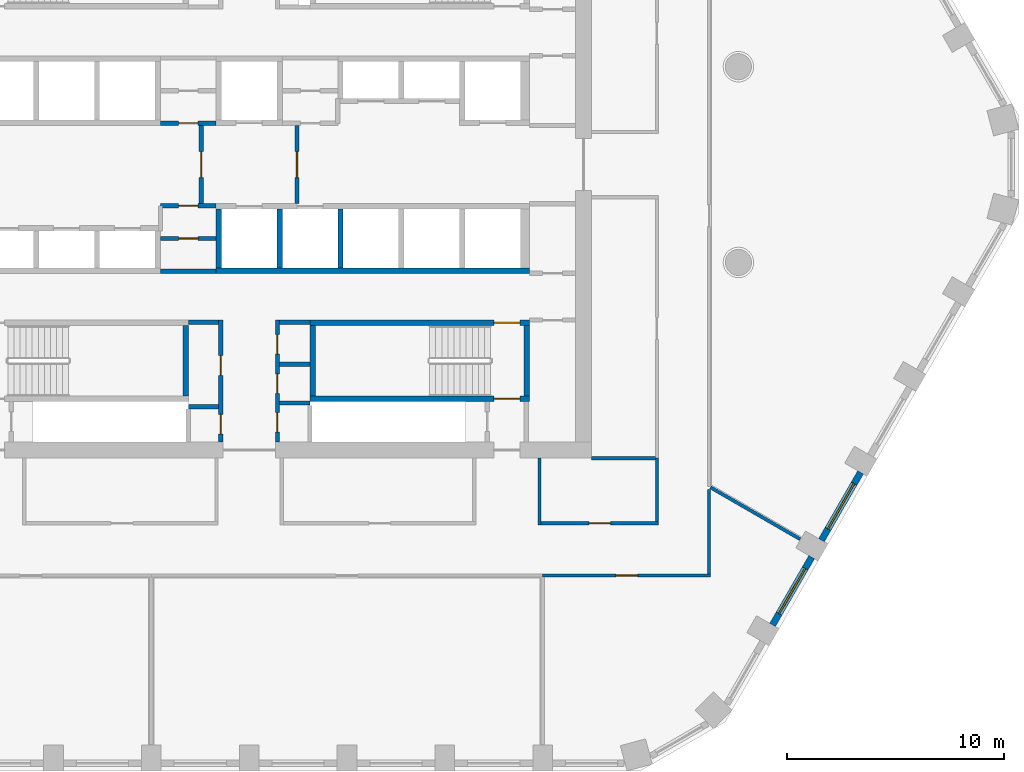
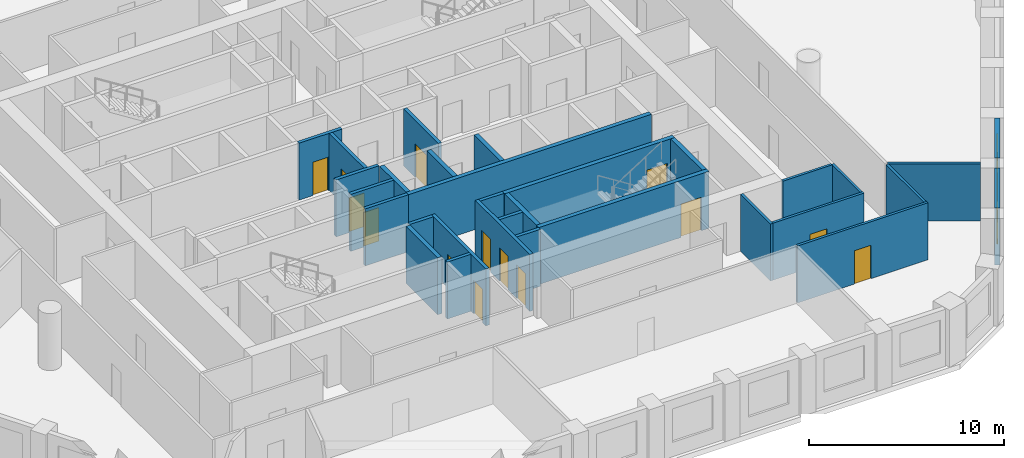
# One storey, part 4 of 14: 31 walls, 14 doors, 2 windows, 16 openings.
"""IFC4 building model written with IfcOpenShell, lengths in metres."""

from ifc_helpers import new_model, si_unit, direction, frame, frame_2d, origin, place, context, subcontext, project, spatial, polyline, rectangle, outline, extrude, material, layer, layer_set, type_object, element, fill, save


model = new_model("IFC4")

# Units and contexts
model_context = context("Model", 3, precision=1e-05, world=origin(), true_north=direction((0.0, 1.0)))
body_context = subcontext(model_context, "Body", "Model", "MODEL_VIEW")
ifc_project = project(units=[si_unit("LENGTHUNIT", "METRE"), si_unit("AREAUNIT", "SQUARE_METRE"), si_unit("VOLUMEUNIT", "CUBIC_METRE"), si_unit("PLANEANGLEUNIT", "RADIAN"), si_unit("MASSUNIT", "GRAM", prefix="KILO")], contexts=[model_context])

# Site, building, storey
site_placement = place(None, origin())
site = spatial("IfcSite", under=ifc_project, at=site_placement, CompositionType="ELEMENT")
building_placement = place(site_placement, origin())
building = spatial("IfcBuilding", under=site, at=building_placement, Name="Dhurran Vertical Campus", CompositionType="ELEMENT")
storey_placement = place(building_placement, frame((0.0, 0.0, 140.39990234375)))
storey = spatial("IfcBuildingStorey", under=building, at=storey_placement, Name="L34", CompositionType="ELEMENT", Elevation=140.39990234375)

# Wall, opening, window
ifc_material_1 = material(Name="Precast concrete C50/60", Category="concrete")
ifc_layer_1 = layer(ifc_material_1, 0.300048828125)
ifc_layer_set_1 = layer_set([ifc_layer_1], Name="Precast concrete C50/60")
wall_type_1 = type_object("IfcWallType", Name="Precast spandrel wall 300", PredefinedType="SOLIDWALL", material=ifc_layer_set_1)
wall_1_placement = place(storey_placement, frame((24.0693359375, -21.17041015625, 0.0), z_axis=(0.0, 0.0, 1.0), x_axis=(0.500027802648, 0.866009351323, 0.0)))
wall_1 = element("IfcWall", 1, at=wall_1_placement, inside=storey, type_object=wall_type_1, Name="EW1 L34.10", PredefinedType="SOLIDWALL", context=body_context, shape_type="SweptSolid", body=[
    extrude(rectangle(XDim=3.598876953125, YDim=0.300048828125, at=frame_2d((1.79931640625, 0.0))), origin(), (0.0, 0.0, 1.0), 3.5751953125),
])
opening_1_placement = place(wall_1_placement, frame((0.599609375, 0.0, 0.89990234375)))
opening_1 = element("IfcOpeningElement", 2, at=opening_1_placement, cuts=wall_1, Name="Opening WT1", PredefinedType="OPENING", context=body_context, shape_type="SweptSolid", body=[
    extrude(rectangle(XDim=2.39990234375, YDim=2.10009765625, at=frame_2d((1.199951171875, 1.050048828125))), frame((0.0, 0.159912109375, 0.0), z_axis=(0.0, -1.0, 0.0), x_axis=(1.0, 0.0, 0.0)), (0.0, 0.0, 1.0), 0.320068359375),
])
ifc_material_2 = material(Name="Aluminium frame with solar-control glass", Category="aluminium")
window_type = type_object("IfcWindowType", Name="Punched window 2400 x 2100", PartitioningType="SINGLE_PANEL", PredefinedType="WINDOW", material=ifc_material_2)
window_1_placement = place(opening_1_placement, origin())
window_1 = element("IfcWindow", 3, at=window_1_placement, inside=storey, type_object=window_type, Name="WT1 L34.10", OverallHeight=2.10009765625, OverallWidth=2.39990234375, PartitioningType="SINGLE_PANEL", PredefinedType="WINDOW", context=body_context, shape_type="SweptSolid", body=[
    extrude(rectangle(XDim=2.39990234375, YDim=2.10009765625, at=frame_2d((1.199951171875, 1.050048828125))), frame((0.0, 0.030029296875, 0.0), z_axis=(0.0, -1.0, 0.0), x_axis=(1.0, 0.0, 0.0)), (0.0, 0.0, 1.0), 0.06005859375),
])
fill(opening_1, window_1)

wall_2_placement = place(storey_placement, frame((26.3193359375, -17.273193359375, 0.0), z_axis=(0.0, 0.0, 1.0), x_axis=(0.500027802648, 0.866009351323, 0.0)))
wall_2 = element("IfcWall", 4, at=wall_2_placement, inside=storey, type_object=wall_type_1, Name="EW1 L34.11", PredefinedType="SOLIDWALL", context=body_context, shape_type="SweptSolid", body=[
    extrude(rectangle(XDim=3.598876953125, YDim=0.300048828125, at=frame_2d((1.79931640625, 0.0))), origin(), (0.0, 0.0, 1.0), 3.5751953125),
])
opening_2_placement = place(wall_2_placement, frame((0.599609375, 0.0, 0.89990234375)))
opening_2 = element("IfcOpeningElement", 5, at=opening_2_placement, cuts=wall_2, Name="Opening WT1", PredefinedType="OPENING", context=body_context, shape_type="SweptSolid", body=[
    extrude(rectangle(XDim=2.39990234375, YDim=2.10009765625, at=frame_2d((1.199951171875, 1.050048828125))), frame((0.0, 0.159912109375, 0.0), z_axis=(0.0, -1.0, 0.0), x_axis=(1.0, 0.0, 0.0)), (0.0, 0.0, 1.0), 0.320068359375),
])
window_2_placement = place(opening_2_placement, origin())
window_2 = element("IfcWindow", 6, at=window_2_placement, inside=storey, type_object=window_type, Name="WT1 L34.11", OverallHeight=2.10009765625, OverallWidth=2.39990234375, PartitioningType="SINGLE_PANEL", PredefinedType="WINDOW", context=body_context, shape_type="SweptSolid", body=[
    extrude(rectangle(XDim=2.39990234375, YDim=2.10009765625, at=frame_2d((1.199951171875, 1.050048828125))), frame((0.0, 0.030029296875, 0.0), z_axis=(0.0, -1.0, 0.0), x_axis=(1.0, 0.0, 0.0)), (0.0, 0.0, 1.0), 0.06005859375),
])
fill(opening_2, window_2)

# Wall, opening, door
ifc_material_3 = material(Name="Fire-rated masonry blockwork", Category="masonry")
ifc_layer_2 = layer(ifc_material_3, 0.199951171875)
ifc_layer_set_2 = layer_set([ifc_layer_2], Name="Fire-rated masonry blockwork")
wall_type_2 = type_object("IfcWallType", Name="co-FIRE-PARTITION-200", PredefinedType="PARTITIONING", material=ifc_layer_set_2)
wall_3_placement = place(storey_placement, frame((-2.199951171875, -1.800048828125, 0.0), z_axis=(0.0, 0.0, 1.0), x_axis=(0.0, 1.0, 0.0)))
wall_3 = element("IfcWall", 7, at=wall_3_placement, inside=storey, type_object=wall_type_2, Name="Firefighting lobby wall W L34", PredefinedType="PARTITIONING", context=body_context, shape_type="SweptSolid", body=[
    extrude(rectangle(XDim=3.60009765625, YDim=0.199951171875, at=frame_2d((1.800048828125, 0.0))), origin(), (0.0, 0.0, 1.0), 3.5751953125),
])
opening_3_placement = place(wall_3_placement, frame((1.199951171875, 0.0, 0.0)))
opening_3 = element("IfcOpeningElement", 8, at=opening_3_placement, cuts=wall_3, Name="Opening FL1", PredefinedType="OPENING", context=body_context, shape_type="SweptSolid", body=[
    extrude(rectangle(XDim=1.199951171875, YDim=2.10009765625, at=frame_2d((0.60009765625, 1.050048828125))), frame((0.0, 0.10986328125, 0.0), z_axis=(0.0, -1.0, 0.0), x_axis=(1.0, 0.0, 0.0)), (0.0, 0.0, 1.0), 0.219970703125),
])
ifc_material_4 = material(Name="Fire-rated steel door set", Category="steel")
door_type_1 = type_object("IfcDoorType", Name="co-D-FFLOBBY 1200x2100", OperationType="SINGLE_SWING_LEFT", PredefinedType="DOOR", material=ifc_material_4)
door_1_placement = place(opening_3_placement, origin())
door_1 = element("IfcDoor", 9, at=door_1_placement, inside=storey, type_object=door_type_1, Name="Firefighting lobby door W L34", OperationType="SINGLE_SWING_LEFT", OverallHeight=2.10009765625, OverallWidth=1.199951171875, PredefinedType="DOOR", context=body_context, shape_type="SweptSolid", body=[
    extrude(rectangle(XDim=1.199951171875, YDim=2.10009765625, at=frame_2d((0.60009765625, 1.050048828125))), frame((0.0, 0.02490234375, 0.0), z_axis=(0.0, -1.0, 0.0), x_axis=(1.0, 0.0, 0.0)), (0.0, 0.0, 1.0), 0.050048828125),
])
fill(opening_3, door_1)

wall_4_placement = place(storey_placement, frame((2.199951171875, -1.800048828125, 0.0), z_axis=(0.0, 0.0, 1.0), x_axis=(0.0, 1.0, 0.0)))
wall_4 = element("IfcWall", 10, at=wall_4_placement, inside=storey, type_object=wall_type_2, Name="Firefighting lobby wall E L34", PredefinedType="PARTITIONING", context=body_context, shape_type="SweptSolid", body=[
    extrude(rectangle(XDim=3.60009765625, YDim=0.199951171875, at=frame_2d((1.800048828125, 0.0))), origin(), (0.0, 0.0, 1.0), 3.5751953125),
])
opening_4_placement = place(wall_4_placement, frame((1.199951171875, 0.0, 0.0)))
opening_4 = element("IfcOpeningElement", 11, at=opening_4_placement, cuts=wall_4, Name="Opening FL2", PredefinedType="OPENING", context=body_context, shape_type="SweptSolid", body=[
    extrude(rectangle(XDim=1.199951171875, YDim=2.10009765625, at=frame_2d((0.60009765625, 1.050048828125))), frame((0.0, 0.10986328125, 0.0), z_axis=(0.0, -1.0, 0.0), x_axis=(1.0, 0.0, 0.0)), (0.0, 0.0, 1.0), 0.219970703125),
])
door_2_placement = place(opening_4_placement, origin())
door_2 = element("IfcDoor", 12, at=door_2_placement, inside=storey, type_object=door_type_1, Name="Firefighting lobby door E L34", OperationType="SINGLE_SWING_LEFT", OverallHeight=2.10009765625, OverallWidth=1.199951171875, PredefinedType="DOOR", context=body_context, shape_type="SweptSolid", body=[
    extrude(rectangle(XDim=1.199951171875, YDim=2.10009765625, at=frame_2d((0.60009765625, 1.050048828125))), frame((0.0, 0.02490234375, 0.0), z_axis=(0.0, -1.0, 0.0), x_axis=(1.0, 0.0, 0.0)), (0.0, 0.0, 1.0), 0.050048828125),
])
fill(opening_4, door_2)

# Walls
for number, where, z_axis, x_axis, name in (
    (13, (-2.800048828125, -7.25, 0.0), (0.0, 0.0, 1.0), (1.0, 0.0, 0.0), "Core partition sl-SW-S L34"),
    (14, (-2.800048828125, -11.1298828125, 0.0), (0.0, 0.0, 1.0), (1.0, 0.0, 0.0), "Core partition sl-SW-cut0 L34"),
    (15, (1.39990234375, -7.25, 0.0), (0.0, 0.0, 1.0), (1.0, 0.0, 0.0), "Core partition sl-SE-S L34"),
    (16, (1.39990234375, -9.18603515625, 0.0), (0.0, 0.0, 1.0), (1.0, 0.0, 0.0), "Core partition sl-SE-cut0 L34"),
    (17, (1.39990234375, -10.968017578125, 0.0), (0.0, 0.0, 1.0), (1.0, 0.0, 0.0), "Core partition sl-SE-cut1 L34"),
):
    element("IfcWall", number, at=place(storey_placement, frame(where, z_axis=z_axis, x_axis=x_axis)), inside=storey, type_object=wall_type_2, Name=name, PredefinedType="PARTITIONING", context=body_context, shape_type="SweptSolid", body=[
        extrude(rectangle(XDim=1.400146484375, YDim=0.199951171875, at=frame_2d((0.7001953125, 0.0))), origin(), (0.0, 0.0, 1.0), 3.5751953125),
    ])

# Wall, openings, doors
wall_5_placement = place(storey_placement, frame((-1.300048828125, -12.75, 0.0), z_axis=(0.0, 0.0, 1.0), x_axis=(0.0, 1.0, 0.0)))
wall_5 = element("IfcWall", 18, at=wall_5_placement, inside=storey, type_object=wall_type_2, Name="Core partition vest-SW L34", PredefinedType="PARTITIONING", context=body_context, shape_type="SweptSolid", body=[
    extrude(rectangle(XDim=5.60009765625, YDim=0.199951171875, at=frame_2d((2.800048828125, 0.0))), origin(), (0.0, 0.0, 1.0), 3.5751953125),
])
opening_5_placement = place(wall_5_placement, frame((0.360107421875, 0.0, 0.0)))
opening_5 = element("IfcOpeningElement", 19, at=opening_5_placement, cuts=wall_5, Name="Opening T09-C1", PredefinedType="OPENING", context=body_context, shape_type="SweptSolid", body=[
    extrude(rectangle(XDim=0.89990234375, YDim=2.10009765625, at=frame_2d((0.449951171875, 1.050048828125))), frame((0.0, 0.10986328125, 0.0), z_axis=(0.0, -1.0, 0.0), x_axis=(1.0, 0.0, 0.0)), (0.0, 0.0, 1.0), 0.219970703125),
])
opening_6_placement = place(wall_5_placement, frame((3.06005859375, 0.0, 0.0)))
opening_6 = element("IfcOpeningElement", 20, at=opening_6_placement, cuts=wall_5, Name="Opening T09-C2", PredefinedType="OPENING", context=body_context, shape_type="SweptSolid", body=[
    extrude(rectangle(XDim=0.89990234375, YDim=2.10009765625, at=frame_2d((0.449951171875, 1.050048828125))), frame((0.0, 0.10986328125, 0.0), z_axis=(0.0, -1.0, 0.0), x_axis=(1.0, 0.0, 0.0)), (0.0, 0.0, 1.0), 0.219970703125),
])
ifc_material_5 = material(Name="Fire-rated timber door set", Category="wood")
door_type_2 = type_object("IfcDoorType", Name="co-D-ROOM 900x2100", OperationType="SINGLE_SWING_LEFT", PredefinedType="DOOR", material=ifc_material_5)
door_3_placement = place(opening_5_placement, origin())
door_3 = element("IfcDoor", 21, at=door_3_placement, inside=storey, type_object=door_type_2, Name="Pantry door L34", OperationType="SINGLE_SWING_LEFT", OverallHeight=2.10009765625, OverallWidth=0.89990234375, PredefinedType="DOOR", context=body_context, shape_type="SweptSolid", body=[
    extrude(rectangle(XDim=0.89990234375, YDim=2.10009765625, at=frame_2d((0.449951171875, 1.050048828125))), frame((0.0, 0.02490234375, 0.0), z_axis=(0.0, -1.0, 0.0), x_axis=(1.0, 0.0, 0.0)), (0.0, 0.0, 1.0), 0.050048828125),
])
fill(opening_5, door_3)
door_4_placement = place(opening_6_placement, origin())
door_4 = element("IfcDoor", 22, at=door_4_placement, inside=storey, type_object=door_type_2, Name="Communications room door L34", OperationType="SINGLE_SWING_LEFT", OverallHeight=2.10009765625, OverallWidth=0.89990234375, PredefinedType="DOOR", context=body_context, shape_type="SweptSolid", body=[
    extrude(rectangle(XDim=0.89990234375, YDim=2.10009765625, at=frame_2d((0.449951171875, 1.050048828125))), frame((0.0, 0.02490234375, 0.0), z_axis=(0.0, -1.0, 0.0), x_axis=(1.0, 0.0, 0.0)), (0.0, 0.0, 1.0), 0.050048828125),
])
fill(opening_6, door_4)

wall_6_placement = place(storey_placement, frame((1.300048828125, -12.75, 0.0), z_axis=(0.0, 0.0, 1.0), x_axis=(0.0, 1.0, 0.0)))
wall_6 = element("IfcWall", 23, at=wall_6_placement, inside=storey, type_object=wall_type_2, Name="Core partition vest-SE L34", PredefinedType="PARTITIONING", context=body_context, shape_type="SweptSolid", body=[
    extrude(rectangle(XDim=5.60009765625, YDim=0.199951171875, at=frame_2d((2.800048828125, 0.0))), origin(), (0.0, 0.0, 1.0), 3.5751953125),
])
opening_7_placement = place(wall_6_placement, frame((0.44091796875, 0.0, 0.0)))
opening_7 = element("IfcOpeningElement", 24, at=opening_7_placement, cuts=wall_6, Name="Opening T09-C3", PredefinedType="OPENING", context=body_context, shape_type="SweptSolid", body=[
    extrude(rectangle(XDim=0.89990234375, YDim=2.10009765625, at=frame_2d((0.449951171875, 1.050048828125))), frame((0.0, 0.10986328125, 0.0), z_axis=(0.0, -1.0, 0.0), x_axis=(1.0, 0.0, 0.0)), (0.0, 0.0, 1.0), 0.219970703125),
])
opening_8_placement = place(wall_6_placement, frame((2.222900390625, 0.0, 0.0)))
opening_8 = element("IfcOpeningElement", 25, at=opening_8_placement, cuts=wall_6, Name="Opening T09-C4", PredefinedType="OPENING", context=body_context, shape_type="SweptSolid", body=[
    extrude(rectangle(XDim=0.89990234375, YDim=2.10009765625, at=frame_2d((0.449951171875, 1.050048828125))), frame((0.0, 0.10986328125, 0.0), z_axis=(0.0, -1.0, 0.0), x_axis=(1.0, 0.0, 0.0)), (0.0, 0.0, 1.0), 0.219970703125),
])
opening_9_placement = place(wall_6_placement, frame((4.031982421875, 0.0, 0.0)))
opening_9 = element("IfcOpeningElement", 26, at=opening_9_placement, cuts=wall_6, Name="Opening T09-C5", PredefinedType="OPENING", context=body_context, shape_type="SweptSolid", body=[
    extrude(rectangle(XDim=0.89990234375, YDim=2.10009765625, at=frame_2d((0.449951171875, 1.050048828125))), frame((0.0, 0.10986328125, 0.0), z_axis=(0.0, -1.0, 0.0), x_axis=(1.0, 0.0, 0.0)), (0.0, 0.0, 1.0), 0.219970703125),
])
door_5_placement = place(opening_7_placement, origin())
door_5 = element("IfcDoor", 27, at=door_5_placement, inside=storey, type_object=door_type_2, Name="Waste room door L34", OperationType="SINGLE_SWING_LEFT", OverallHeight=2.10009765625, OverallWidth=0.89990234375, PredefinedType="DOOR", context=body_context, shape_type="SweptSolid", body=[
    extrude(rectangle(XDim=0.89990234375, YDim=2.10009765625, at=frame_2d((0.449951171875, 1.050048828125))), frame((0.0, 0.02490234375, 0.0), z_axis=(0.0, -1.0, 0.0), x_axis=(1.0, 0.0, 0.0)), (0.0, 0.0, 1.0), 0.050048828125),
])
fill(opening_7, door_5)
door_6_placement = place(opening_8_placement, origin())
door_6 = element("IfcDoor", 28, at=door_6_placement, inside=storey, type_object=door_type_2, Name="Fire equipment store door L34", OperationType="SINGLE_SWING_LEFT", OverallHeight=2.10009765625, OverallWidth=0.89990234375, PredefinedType="DOOR", context=body_context, shape_type="SweptSolid", body=[
    extrude(rectangle(XDim=0.89990234375, YDim=2.10009765625, at=frame_2d((0.449951171875, 1.050048828125))), frame((0.0, 0.02490234375, 0.0), z_axis=(0.0, -1.0, 0.0), x_axis=(1.0, 0.0, 0.0)), (0.0, 0.0, 1.0), 0.050048828125),
])
fill(opening_8, door_6)
door_7_placement = place(opening_9_placement, origin())
door_7 = element("IfcDoor", 29, at=door_7_placement, inside=storey, type_object=door_type_2, Name="Server room door L34", OperationType="SINGLE_SWING_LEFT", OverallHeight=2.10009765625, OverallWidth=0.89990234375, PredefinedType="DOOR", context=body_context, shape_type="SweptSolid", body=[
    extrude(rectangle(XDim=0.89990234375, YDim=2.10009765625, at=frame_2d((0.449951171875, 1.050048828125))), frame((0.0, 0.02490234375, 0.0), z_axis=(0.0, -1.0, 0.0), x_axis=(1.0, 0.0, 0.0)), (0.0, 0.0, 1.0), 0.050048828125),
])
fill(opening_9, door_7)

# Wall, opening, door
wall_7_placement = place(storey_placement, frame((-4.074951171875, 1.89990234375, 0.0), z_axis=(0.0, 0.0, 1.0), x_axis=(1.0, 0.0, 0.0)))
wall_7 = element("IfcWall", 30, at=wall_7_placement, inside=storey, type_object=wall_type_2, Name="Core partition fr-N0-f L34", PredefinedType="PARTITIONING", context=body_context, shape_type="SweptSolid", body=[
    extrude(rectangle(XDim=2.550048828125, YDim=0.199951171875, at=frame_2d((1.27490234375, 0.0))), origin(), (0.0, 0.0, 1.0), 3.5751953125),
])
opening_10_placement = place(wall_7_placement, frame((0.824951171875, 0.0, 0.0)))
opening_10 = element("IfcOpeningElement", 31, at=opening_10_placement, cuts=wall_7, Name="Opening T09-C24", PredefinedType="OPENING", context=body_context, shape_type="SweptSolid", body=[
    extrude(rectangle(XDim=0.89990234375, YDim=2.10009765625, at=frame_2d((0.449951171875, 1.050048828125))), frame((0.0, 0.10986328125, 0.0), z_axis=(0.0, -1.0, 0.0), x_axis=(1.0, 0.0, 0.0)), (0.0, 0.0, 1.0), 0.219970703125),
])
door_8_placement = place(opening_10_placement, origin())
door_8 = element("IfcDoor", 32, at=door_8_placement, inside=storey, type_object=door_type_2, Name="Housekeeping store door L34", OperationType="SINGLE_SWING_LEFT", OverallHeight=2.10009765625, OverallWidth=0.89990234375, PredefinedType="DOOR", context=body_context, shape_type="SweptSolid", body=[
    extrude(rectangle(XDim=0.89990234375, YDim=2.10009765625, at=frame_2d((0.449951171875, 1.050048828125))), frame((0.0, 0.02490234375, 0.0), z_axis=(0.0, -1.0, 0.0), x_axis=(1.0, 0.0, 0.0)), (0.0, 0.0, 1.0), 0.050048828125),
])
fill(opening_10, door_8)

wall_8_placement = place(storey_placement, frame((-4.074951171875, -3.39990234375, 0.0), z_axis=(0.0, 0.0, 1.0), x_axis=(1.0, 0.0, 0.0)))
wall_8 = element("IfcWall", 33, at=wall_8_placement, inside=storey, type_object=wall_type_2, Name="Core partition fr-S0-c L34", PredefinedType="PARTITIONING", context=body_context, shape_type="SweptSolid", body=[
    extrude(rectangle(XDim=2.550048828125, YDim=0.199951171875, at=frame_2d((1.27490234375, 0.0))), origin(), (0.0, 0.0, 1.0), 3.5751953125),
])
opening_11_placement = place(wall_8_placement, frame((0.824951171875, 0.0, 0.0)))
opening_11 = element("IfcOpeningElement", 34, at=opening_11_placement, cuts=wall_8, Name="Opening T09-C27", PredefinedType="OPENING", context=body_context, shape_type="SweptSolid", body=[
    extrude(rectangle(XDim=0.89990234375, YDim=2.10009765625, at=frame_2d((0.449951171875, 1.050048828125))), frame((0.0, 0.10986328125, 0.0), z_axis=(0.0, -1.0, 0.0), x_axis=(1.0, 0.0, 0.0)), (0.0, 0.0, 1.0), 0.219970703125),
])
door_9_placement = place(opening_11_placement, origin())
door_9 = element("IfcDoor", 35, at=door_9_placement, inside=storey, type_object=door_type_2, Name="Server room door L34", OperationType="SINGLE_SWING_LEFT", OverallHeight=2.10009765625, OverallWidth=0.89990234375, PredefinedType="DOOR", context=body_context, shape_type="SweptSolid", body=[
    extrude(rectangle(XDim=0.89990234375, YDim=2.10009765625, at=frame_2d((0.449951171875, 1.050048828125))), frame((0.0, 0.02490234375, 0.0), z_axis=(0.0, -1.0, 0.0), x_axis=(1.0, 0.0, 0.0)), (0.0, 0.0, 1.0), 0.050048828125),
])
fill(opening_11, door_9)

wall_9_placement = place(storey_placement, frame((-4.074951171875, -1.89990234375, 0.0), z_axis=(0.0, 0.0, 1.0), x_axis=(1.0, 0.0, 0.0)))
wall_9 = element("IfcWall", 36, at=wall_9_placement, inside=storey, type_object=wall_type_2, Name="Core partition fr-S0-f L34", PredefinedType="PARTITIONING", context=body_context, shape_type="SweptSolid", body=[
    extrude(rectangle(XDim=2.550048828125, YDim=0.199951171875, at=frame_2d((1.27490234375, 0.0))), origin(), (0.0, 0.0, 1.0), 3.5751953125),
])
opening_12_placement = place(wall_9_placement, frame((0.824951171875, 0.0, 0.0)))
opening_12 = element("IfcOpeningElement", 37, at=opening_12_placement, cuts=wall_9, Name="Opening T09-C28", PredefinedType="OPENING", context=body_context, shape_type="SweptSolid", body=[
    extrude(rectangle(XDim=0.89990234375, YDim=2.10009765625, at=frame_2d((0.449951171875, 1.050048828125))), frame((0.0, 0.10986328125, 0.0), z_axis=(0.0, -1.0, 0.0), x_axis=(1.0, 0.0, 0.0)), (0.0, 0.0, 1.0), 0.219970703125),
])
door_10_placement = place(opening_12_placement, origin())
door_10 = element("IfcDoor", 38, at=door_10_placement, inside=storey, type_object=door_type_2, Name="Server room door L34", OperationType="SINGLE_SWING_LEFT", OverallHeight=2.10009765625, OverallWidth=0.89990234375, PredefinedType="DOOR", context=body_context, shape_type="SweptSolid", body=[
    extrude(rectangle(XDim=0.89990234375, YDim=2.10009765625, at=frame_2d((0.449951171875, 1.050048828125))), frame((0.0, 0.02490234375, 0.0), z_axis=(0.0, -1.0, 0.0), x_axis=(1.0, 0.0, 0.0)), (0.0, 0.0, 1.0), 0.050048828125),
])
fill(opening_12, door_10)

# Walls
wall_10_placement = place(storey_placement, frame((-4.074951171875, -4.89990234375, 0.0), z_axis=(0.0, 0.0, 1.0), x_axis=(1.0, 0.0, 0.0)))
element("IfcWall", 39, at=wall_10_placement, inside=storey, type_object=wall_type_2, Name="Core partition fr-S0-b L34", PredefinedType="PARTITIONING", context=body_context, shape_type="SweptSolid", body=[
    extrude(rectangle(XDim=2.550048828125, YDim=0.199951171875, at=frame_2d((1.27490234375, 0.0))), origin(), (0.0, 0.0, 1.0), 3.5751953125),
])
ifc_material_6 = material(Name="Concrete C50/60", Category="concrete")
ifc_layer_3 = layer(ifc_material_6, 0.25)
ifc_layer_set_3 = layer_set([ifc_layer_3], Name="Concrete C50/60")
wall_type_3 = type_object("IfcWallType", Name="co-SHAFT-MASS-250", PredefinedType="SHEAR", material=ifc_layer_set_3)
wall_11_placement = place(storey_placement, origin())
element("IfcWall", 40, at=wall_11_placement, inside=storey, type_object=wall_type_3, Name="Lift shaft wall S L34 2", PredefinedType="SHEAR", context=body_context, shape_type="SweptSolid", body=[
    extrude(outline(polyline([(-1.52490234375, -5.0), (12.89990234375, -5.0), (12.89990234375, -4.75), (-1.52490234375, -4.75), (-1.52490234375, -5.0)])), origin(), (0.0, 0.0, 1.0), 3.5751953125),
])
wall_12_placement = place(storey_placement, origin())
element("IfcWall", 41, at=wall_12_placement, inside=storey, type_object=wall_type_3, Name="Lift shaft wall S L34 7", PredefinedType="SHEAR", context=body_context, shape_type="SweptSolid", body=[
    extrude(outline(polyline([(-1.52490234375, -4.75), (-1.27490234375, -4.75), (-1.27490234375, -2.050048828125), (-1.52490234375, -2.050048828125), (-1.52490234375, -4.75)])), origin(), (0.0, 0.0, 1.0), 3.5751953125),
])
wall_13_placement = place(storey_placement, origin())
element("IfcWall", 42, at=wall_13_placement, inside=storey, type_object=wall_type_3, Name="Lift shaft wall S L34 8", PredefinedType="SHEAR", context=body_context, shape_type="SweptSolid", body=[
    extrude(outline(polyline([(1.27490234375, -4.75), (1.52490234375, -4.75), (1.52490234375, -2.050048828125), (1.27490234375, -2.050048828125), (1.27490234375, -4.75)])), origin(), (0.0, 0.0, 1.0), 3.5751953125),
])
wall_14_placement = place(storey_placement, origin())
element("IfcWall", 43, at=wall_14_placement, inside=storey, type_object=wall_type_3, Name="Lift shaft wall S L34 9", PredefinedType="SHEAR", context=body_context, shape_type="SweptSolid", body=[
    extrude(outline(polyline([(4.074951171875, -4.75), (4.324951171875, -4.75), (4.324951171875, -2.050048828125), (4.074951171875, -2.050048828125), (4.074951171875, -4.75)])), origin(), (0.0, 0.0, 1.0), 3.5751953125),
])
ifc_material_7 = material(Name="Concrete C40/50", Category="concrete")
ifc_layer_4 = layer(ifc_material_7, 0.25)
ifc_layer_set_4 = layer_set([ifc_layer_4], Name="Concrete C40/50")
wall_type_4 = type_object("IfcWallType", Name="co-STAIR-WALL-250", PredefinedType="SHEAR", material=ifc_layer_set_4)
wall_15_placement = place(storey_placement, frame((-2.925048828125, -10.64990234375, 0.0), z_axis=(0.0, 0.0, 1.0), x_axis=(0.0, 1.0, 0.0)))
element("IfcWall", 44, at=wall_15_placement, inside=storey, type_object=wall_type_4, Name="Stair ST3 enclosure wall L34", PredefinedType="SHEAR", context=body_context, shape_type="SweptSolid", body=[
    extrude(rectangle(XDim=3.25, YDim=0.25, at=frame_2d((1.625, 0.0))), origin(), (0.0, 0.0, 1.0), 3.5751953125),
])

# Wall, opening, door
wall_16_placement = place(storey_placement, frame((2.800048828125, -10.77490234375, 0.0), z_axis=(0.0, 0.0, 1.0), x_axis=(1.0, 0.0, 0.0)))
wall_16 = element("IfcWall", 45, at=wall_16_placement, inside=storey, type_object=wall_type_4, Name="Stair ST4 enclosure wall L34", PredefinedType="SHEAR", context=body_context, shape_type="SweptSolid", body=[
    extrude(rectangle(XDim=10.099853515625, YDim=0.25, at=frame_2d((5.0498046875, 0.0))), origin(), (0.0, 0.0, 1.0), 3.5751953125),
])
opening_13_placement = place(wall_16_placement, frame((8.449951171875, 0.0, 0.0)))
opening_13 = element("IfcOpeningElement", 46, at=opening_13_placement, cuts=wall_16, Name="Opening XS4", PredefinedType="OPENING", context=body_context, shape_type="SweptSolid", body=[
    extrude(rectangle(XDim=1.199951171875, YDim=2.10009765625, at=frame_2d((0.60009765625, 1.050048828125))), frame((0.0, 0.135009765625, 0.0), z_axis=(0.0, -1.0, 0.0), x_axis=(1.0, 0.0, 0.0)), (0.0, 0.0, 1.0), 0.27001953125),
])
ifc_material_8 = material(Name="Fire-rated steel door set", Category="steel")
door_type_3 = type_object("IfcDoorType", Name="co-D-STAIR-EXIT 1200x2100", OperationType="SINGLE_SWING_RIGHT", PredefinedType="DOOR", material=ifc_material_8)
door_11_placement = place(opening_13_placement, origin())
door_11 = element("IfcDoor", 47, at=door_11_placement, inside=storey, type_object=door_type_3, Name="Stair ST4 discharge door L34", OperationType="SINGLE_SWING_RIGHT", OverallHeight=2.10009765625, OverallWidth=1.199951171875, PredefinedType="DOOR", context=body_context, shape_type="SweptSolid", body=[
    extrude(rectangle(XDim=1.199951171875, YDim=2.10009765625, at=frame_2d((0.60009765625, 1.050048828125))), frame((0.0, 0.02490234375, 0.0), z_axis=(0.0, -1.0, 0.0), x_axis=(1.0, 0.0, 0.0)), (0.0, 0.0, 1.0), 0.050048828125),
])
fill(opening_13, door_11)

wall_17_placement = place(storey_placement, frame((2.800048828125, -7.27490234375, 0.0), z_axis=(0.0, 0.0, 1.0), x_axis=(1.0, 0.0, 0.0)))
wall_17 = element("IfcWall", 48, at=wall_17_placement, inside=storey, type_object=wall_type_4, Name="Stair ST4 enclosure wall L34", PredefinedType="SHEAR", context=body_context, shape_type="SweptSolid", body=[
    extrude(rectangle(XDim=10.099853515625, YDim=0.25, at=frame_2d((5.0498046875, 0.0))), origin(), (0.0, 0.0, 1.0), 3.5751953125),
])
opening_14_placement = place(wall_17_placement, frame((8.449951171875, 0.0, 0.0)))
opening_14 = element("IfcOpeningElement", 49, at=opening_14_placement, cuts=wall_17, Name="Opening SD4", PredefinedType="OPENING", context=body_context, shape_type="SweptSolid", body=[
    extrude(rectangle(XDim=1.199951171875, YDim=2.10009765625, at=frame_2d((0.60009765625, 1.050048828125))), frame((0.0, 0.135009765625, 0.0), z_axis=(0.0, -1.0, 0.0), x_axis=(1.0, 0.0, 0.0)), (0.0, 0.0, 1.0), 0.27001953125),
])
ifc_material_9 = material(Name="Fire-rated steel door set", Category="steel")
door_type_4 = type_object("IfcDoorType", Name="co-D-STAIR 1200x2100", OperationType="SINGLE_SWING_LEFT", PredefinedType="DOOR", material=ifc_material_9)
door_12_placement = place(opening_14_placement, origin())
door_12 = element("IfcDoor", 50, at=door_12_placement, inside=storey, type_object=door_type_4, Name="Stair ST4 door L34", OperationType="SINGLE_SWING_LEFT", OverallHeight=2.10009765625, OverallWidth=1.199951171875, PredefinedType="DOOR", context=body_context, shape_type="SweptSolid", body=[
    extrude(rectangle(XDim=1.199951171875, YDim=2.10009765625, at=frame_2d((0.60009765625, 1.050048828125))), frame((0.0, 0.02490234375, 0.0), z_axis=(0.0, -1.0, 0.0), x_axis=(1.0, 0.0, 0.0)), (0.0, 0.0, 1.0), 0.050048828125),
])
fill(opening_14, door_12)

# Walls
for number, where, z_axis, x_axis, name in (
    (51, (2.925048828125, -10.64990234375, 0.0), (0.0, 0.0, 1.0), (0.0, 1.0, 0.0), "Stair ST4 enclosure wall L34"),
    (52, (12.77490234375, -10.64990234375, 0.0), (0.0, 0.0, 1.0), (0.0, 1.0, 0.0), "Stair ST4 enclosure wall L34"),
):
    element("IfcWall", number, at=place(storey_placement, frame(where, z_axis=z_axis, x_axis=x_axis)), inside=storey, type_object=wall_type_4, Name=name, PredefinedType="SHEAR", context=body_context, shape_type="SweptSolid", body=[
        extrude(rectangle(XDim=3.25, YDim=0.25, at=frame_2d((1.625, 0.0))), origin(), (0.0, 0.0, 1.0), 3.5751953125),
    ])
ifc_material_10 = material(Name="Gypsum board corridor wall on steel studs", Category="steel")
ifc_layer_5 = layer(ifc_material_10, 0.14990234375)
ifc_layer_set_5 = layer_set([ifc_layer_5], Name="Gypsum board corridor wall on steel studs")
wall_type_5 = type_object("IfcWallType", Name="fl-CW-150 corridor wall", PredefinedType="PARTITIONING", material=ifc_layer_set_5)
wall_18_placement = place(storey_placement, frame((13.35009765625, -16.574951171875, 0.0), z_axis=(0.0, 0.0, 1.0), x_axis=(0.0, 1.0, 0.0)))
element("IfcWall", 53, at=wall_18_placement, inside=storey, type_object=wall_type_5, Name="Partition 34-42", PredefinedType="PARTITIONING", context=body_context, shape_type="SweptSolid", body=[
    extrude(rectangle(XDim=3.074951171875, YDim=0.14990234375, at=frame_2d((1.53759765625, 0.0))), origin(), (0.0, 0.0, 1.0), 3.5751953125),
])

# Wall, opening, door
wall_19_placement = place(storey_placement, frame((18.824951171875, -16.5, 0.0), z_axis=(0.0, 0.0, 1.0), x_axis=(-1.0, 0.0, 0.0)))
wall_19 = element("IfcWall", 54, at=wall_19_placement, inside=storey, type_object=wall_type_5, Name="Partition 34-43", PredefinedType="PARTITIONING", context=body_context, shape_type="SweptSolid", body=[
    extrude(rectangle(XDim=5.39990234375, YDim=0.14990234375, at=frame_2d((2.699951171875, 0.0))), origin(), (0.0, 0.0, 1.0), 3.5751953125),
])
opening_15_placement = place(wall_19_placement, frame((2.199951171875, 0.0, 0.0)))
opening_15 = element("IfcOpeningElement", 55, at=opening_15_placement, cuts=wall_19, Name="Opening T09.17", PredefinedType="OPENING", context=body_context, shape_type="SweptSolid", body=[
    extrude(rectangle(XDim=1.0, YDim=2.10009765625, at=frame_2d((0.5, 1.050048828125))), frame((0.0, 0.0849609375, 0.0), z_axis=(0.0, -1.0, 0.0), x_axis=(1.0, 0.0, 0.0)), (0.0, 0.0, 1.0), 0.169921875),
])
ifc_material_11 = material(Name="Solid-core timber door set, fire-rated", Category="wood")
door_type_5 = type_object("IfcDoorType", Name="fl-D-1000x2100", OperationType="SINGLE_SWING_LEFT", PredefinedType="DOOR", material=ifc_material_11)
door_13_placement = place(opening_15_placement, origin())
door_13 = element("IfcDoor", 56, at=door_13_placement, inside=storey, type_object=door_type_5, Name="Door 34.17", OperationType="SINGLE_SWING_RIGHT", OverallHeight=2.10009765625, OverallWidth=1.0, PredefinedType="DOOR", context=body_context, shape_type="SweptSolid", body=[
    extrude(rectangle(XDim=1.0, YDim=2.10009765625, at=frame_2d((0.5, 1.050048828125))), frame((0.0, 0.02490234375, 0.0), z_axis=(0.0, -1.0, 0.0), x_axis=(1.0, 0.0, 0.0)), (0.0, 0.0, 1.0), 0.050048828125),
])
fill(opening_15, door_13)

wall_20_placement = place(storey_placement, frame((13.5, -18.89990234375, 0.0), z_axis=(0.0, 0.0, 1.0), x_axis=(1.0, 0.0, 0.0)))
wall_20 = element("IfcWall", 57, at=wall_20_placement, inside=storey, type_object=wall_type_5, Name="Partition 34-47", PredefinedType="PARTITIONING", context=body_context, shape_type="SweptSolid", body=[
    extrude(rectangle(XDim=7.72509765625, YDim=0.14990234375, at=frame_2d((3.862548828125, 0.0))), origin(), (0.0, 0.0, 1.0), 3.5751953125),
])
opening_16_placement = place(wall_20_placement, frame((3.362548828125, 0.0, 0.0)))
opening_16 = element("IfcOpeningElement", 58, at=opening_16_placement, cuts=wall_20, Name="Opening T09.21", PredefinedType="OPENING", context=body_context, shape_type="SweptSolid", body=[
    extrude(rectangle(XDim=1.0, YDim=2.10009765625, at=frame_2d((0.5, 1.050048828125))), frame((0.0, 0.0849609375, 0.0), z_axis=(0.0, -1.0, 0.0), x_axis=(1.0, 0.0, 0.0)), (0.0, 0.0, 1.0), 0.169921875),
])
door_14_placement = place(opening_16_placement, origin())
door_14 = element("IfcDoor", 59, at=door_14_placement, inside=storey, type_object=door_type_5, Name="Door 34.21", OperationType="SINGLE_SWING_LEFT", OverallHeight=2.10009765625, OverallWidth=1.0, PredefinedType="DOOR", context=body_context, shape_type="SweptSolid", body=[
    extrude(rectangle(XDim=1.0, YDim=2.10009765625, at=frame_2d((0.5, 1.050048828125))), frame((0.0, 0.02490234375, 0.0), z_axis=(0.0, -1.0, 0.0), x_axis=(1.0, 0.0, 0.0)), (0.0, 0.0, 1.0), 0.050048828125),
])
fill(opening_16, door_14)

# Walls
wall_21_placement = place(storey_placement, frame((18.75, -13.5, 0.0), z_axis=(0.0, 0.0, 1.0), x_axis=(0.0, -1.0, 0.0)))
element("IfcWall", 60, at=wall_21_placement, inside=storey, type_object=wall_type_5, Name="Partition 34-54", PredefinedType="PARTITIONING", context=body_context, shape_type="SweptSolid", body=[
    extrude(rectangle(XDim=2.925048828125, YDim=0.14990234375, at=frame_2d((1.46240234375, 0.0))), origin(), (0.0, 0.0, 1.0), 3.5751953125),
])
wall_22_placement = place(storey_placement, frame((21.14990234375, -18.824951171875, 0.0), z_axis=(0.0, 0.0, 1.0), x_axis=(0.0, 1.0, 0.0)))
element("IfcWall", 61, at=wall_22_placement, inside=storey, type_object=wall_type_5, Name="Partition 34-58", PredefinedType="PARTITIONING", context=body_context, shape_type="SweptSolid", body=[
    extrude(rectangle(XDim=3.885986328125, YDim=0.14990234375, at=frame_2d((1.94287109375, 0.0))), origin(), (0.0, 0.0, 1.0), 3.5751953125),
])
ifc_material_12 = material(Name="Gypsum board partition on steel studs", Category="steel")
ifc_layer_6 = layer(ifc_material_12, 0.14990234375)
ifc_layer_set_6 = layer_set([ifc_layer_6], Name="Gypsum board partition on steel studs")
wall_type_6 = type_object("IfcWallType", Name="fl-PW-150 fixed partition", PredefinedType="PARTITIONING", material=ifc_layer_set_6)
wall_23_placement = place(storey_placement, frame((15.75, -13.5, 0.0), z_axis=(0.0, 0.0, 1.0), x_axis=(1.0, 0.0, 0.0)))
element("IfcWall", 62, at=wall_23_placement, inside=storey, type_object=wall_type_6, Name="Partition 34-50", PredefinedType="PARTITIONING", context=body_context, shape_type="SweptSolid", body=[
    extrude(rectangle(XDim=2.925048828125, YDim=0.14990234375, at=frame_2d((1.46240234375, 0.0))), origin(), (0.0, 0.0, 1.0), 3.5751953125),
])
wall_24_placement = place(storey_placement, frame((21.215087890625, -14.846435546875, 0.0), z_axis=(0.0, 0.0, 1.0), x_axis=(0.866039654489, -0.499975316243, 0.0)))
element("IfcWall", 63, at=wall_24_placement, inside=storey, type_object=wall_type_6, Name="Partition 34-60", PredefinedType="PARTITIONING", context=body_context, shape_type="SweptSolid", body=[
    extrude(rectangle(XDim=4.763916015625, YDim=0.14990234375, at=frame_2d((2.3818359375, 0.0))), origin(), (0.0, 0.0, 1.0), 3.5751953125),
])

save(model, "model.ifc")
